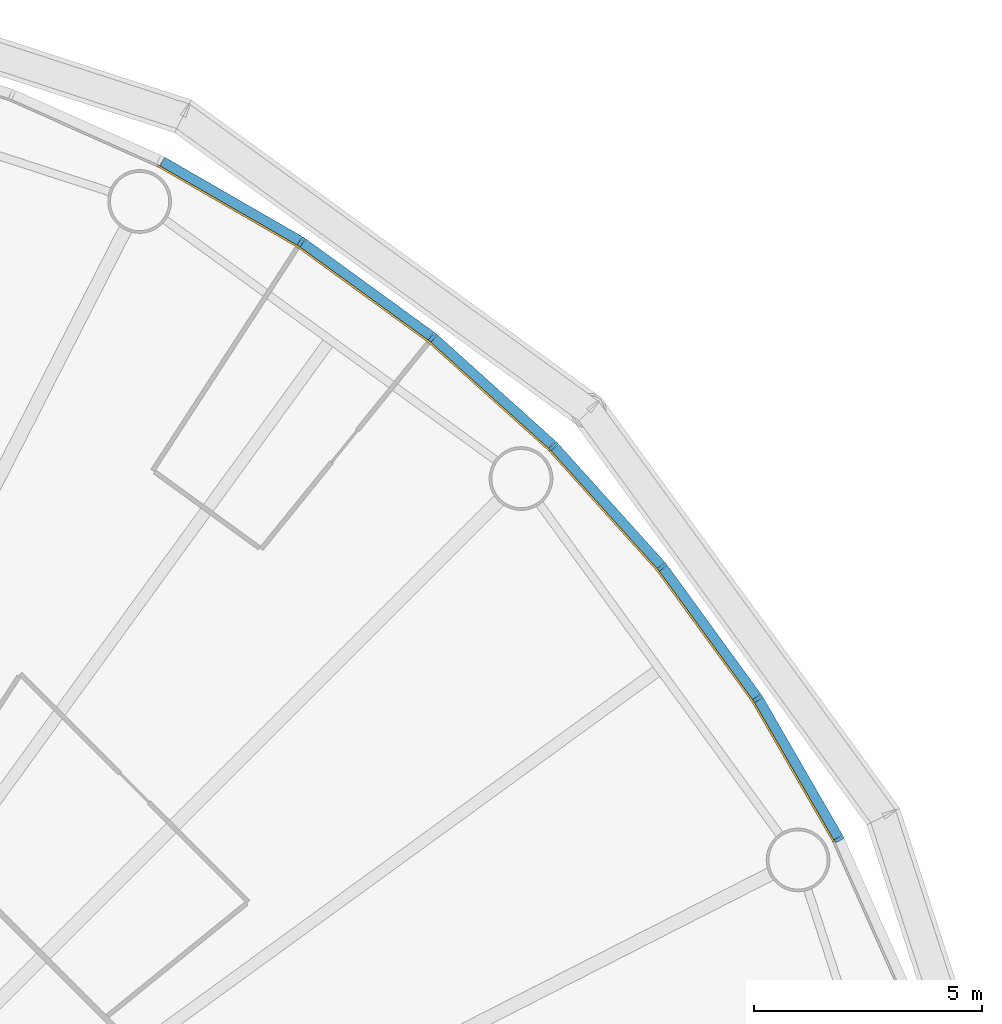
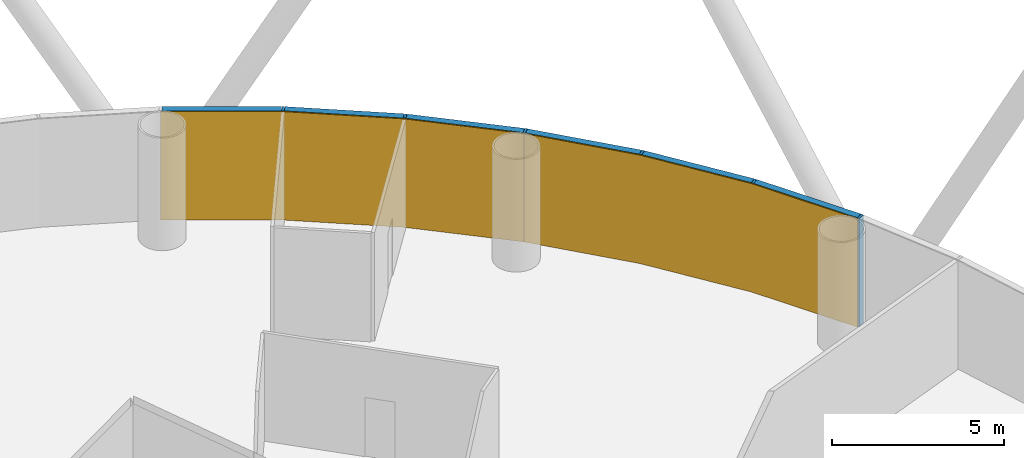
# One storey, part 10 of 13: 12 members, 2 curtain walls.
"""IFC4 building model written with IfcOpenShell, lengths in metres."""

from ifc_helpers import new_model, si_unit, direction, frame, origin, origin_2d, place, context, subcontext, project, spatial, polyline, rectangle, outline, extrude, material, layer, layer_set, material_profile, profile_set, type_object, element, aggregate, save


model = new_model("IFC4")

# Units and contexts
model_context = context("Model", 3, precision=1e-05, world=origin(), true_north=direction((0.0, 1.0)))
body_context = subcontext(model_context, "Body", "Model", "MODEL_VIEW")
ifc_project = project(units=[si_unit("LENGTHUNIT", "METRE"), si_unit("AREAUNIT", "SQUARE_METRE"), si_unit("VOLUMEUNIT", "CUBIC_METRE"), si_unit("PLANEANGLEUNIT", "RADIAN"), si_unit("MASSUNIT", "GRAM", prefix="KILO")], contexts=[model_context])

# Member
ifc_material_1 = material(Name="Anodised aluminium", Category="aluminium")
ifc_material_profile_1 = material_profile(ifc_material_1, rectangle(XDim=0.074951171875, YDim=0.219970703125, at=origin_2d()), Name="Mullion 75 x 220 mm anodised aluminium")
ifc_profile_set_1 = profile_set([ifc_material_profile_1], Name="Anodised aluminium")
member_type_1 = type_object("IfcMemberType", Name="Mullion 75 x 220 mm anodised aluminium", PredefinedType="MULLION", material=ifc_profile_set_1)
site_placement = place(None, origin())
building_placement = place(site_placement, origin())
storey_placement = place(building_placement, frame((0.0, 0.0, 54.0)))
member_1_placement = place(storey_placement, frame((120.392333984375, 95.485595703125, 0.0), z_axis=(0.0, 0.0, 1.0), x_axis=(-0.45399049974, 0.891006524188, 0.0)))
member_1 = element("IfcMember", 1, at=member_1_placement, type_object=member_type_1, Name="MULLION L11-03", PredefinedType="MULLION", context=body_context, shape_type="SweptSolid", body=[
    extrude(rectangle(XDim=0.074951171875, YDim=0.219970703125, at=origin_2d()), origin(), (0.0, 0.0, 1.0), 3.85009765625),
])

member_2_placement = place(storey_placement, frame((118.60693359375, 98.57763671875, 0.0), z_axis=(0.0, 0.0, 1.0), x_axis=(-0.544639035015, 0.838670567945, 0.0)))
member_2 = element("IfcMember", 2, at=member_2_placement, type_object=member_type_1, Name="MULLION L11-04", PredefinedType="MULLION", context=body_context, shape_type="SweptSolid", body=[
    extrude(rectangle(XDim=0.074951171875, YDim=0.219970703125, at=origin_2d()), origin(), (0.0, 0.0, 1.0), 3.85009765625),
])

member_3_placement = place(storey_placement, frame((116.508544921875, 101.466064453125, 0.0), z_axis=(0.0, 0.0, 1.0), x_axis=(-0.62932039105, 0.777145961457, 0.0)))
member_3 = element("IfcMember", 3, at=member_3_placement, type_object=member_type_1, Name="MULLION L11-05", PredefinedType="MULLION", context=body_context, shape_type="SweptSolid", body=[
    extrude(rectangle(XDim=0.074951171875, YDim=0.219970703125, at=origin_2d()), origin(), (0.0, 0.0, 1.0), 3.85009765625),
])

member_4_placement = place(storey_placement, frame((114.119384765625, 104.119384765625, 0.0), z_axis=(0.0, 0.0, 1.0), x_axis=(-0.707106781187, 0.707106781187, 0.0)))
member_4 = element("IfcMember", 4, at=member_4_placement, type_object=member_type_1, Name="MULLION L11-06", PredefinedType="MULLION", context=body_context, shape_type="SweptSolid", body=[
    extrude(rectangle(XDim=0.074951171875, YDim=0.219970703125, at=origin_2d()), origin(), (0.0, 0.0, 1.0), 3.85009765625),
])

member_5_placement = place(storey_placement, frame((111.466064453125, 106.508544921875, 0.0), z_axis=(0.0, 0.0, 1.0), x_axis=(-0.777145961457, 0.62932039105, 0.0)))
member_5 = element("IfcMember", 5, at=member_5_placement, type_object=member_type_1, Name="MULLION L11-07", PredefinedType="MULLION", context=body_context, shape_type="SweptSolid", body=[
    extrude(rectangle(XDim=0.074951171875, YDim=0.219970703125, at=origin_2d()), origin(), (0.0, 0.0, 1.0), 3.85009765625),
])

member_6_placement = place(storey_placement, frame((108.57763671875, 108.60693359375, 0.0), z_axis=(0.0, 0.0, 1.0), x_axis=(-0.838670567945, 0.544639035015, 0.0)))
member_6 = element("IfcMember", 6, at=member_6_placement, type_object=member_type_1, Name="MULLION L11-08", PredefinedType="MULLION", context=body_context, shape_type="SweptSolid", body=[
    extrude(rectangle(XDim=0.074951171875, YDim=0.219970703125, at=origin_2d()), origin(), (0.0, 0.0, 1.0), 3.85009765625),
])

ifc_material_2 = material(Name="Anodised aluminium", Category="aluminium")
ifc_material_profile_2 = material_profile(ifc_material_2, rectangle(XDim=0.219970703125, YDim=0.199951171875, at=origin_2d()), Name="Transom 200 x 220 mm anodised aluminium")
ifc_profile_set_2 = profile_set([ifc_material_profile_2], Name="Anodised aluminium")
member_type_2 = type_object("IfcMemberType", Name="Transom 200 x 220 mm anodised aluminium", PredefinedType="USERDEFINED", material=ifc_profile_set_2)
member_7_placement = place(storey_placement, frame((120.370849609375, 95.523193359375, 3.75), z_axis=(-0.500005538244, 0.866022206254, 0.0), x_axis=(-0.866022206254, -0.500005538244, 0.0)))
member_7 = element("IfcMember", 7, at=member_7_placement, type_object=member_type_2, Name="TRANSOM L11-03", ObjectType="TRANSOM", PredefinedType="USERDEFINED", context=body_context, shape_type="SweptSolid", body=[
    extrude(rectangle(XDim=0.219970703125, YDim=0.199951171875, at=origin_2d()), origin(), (0.0, 0.0, 1.0), 3.48388671875),
])

member_8_placement = place(storey_placement, frame((118.581787109375, 98.61279296875, 3.75), z_axis=(-0.587821627006, 0.80899056535, 0.0), x_axis=(-0.80899056535, -0.587821627006, 0.0)))
member_8 = element("IfcMember", 8, at=member_8_placement, type_object=member_type_2, Name="TRANSOM L11-04", ObjectType="TRANSOM", PredefinedType="USERDEFINED", context=body_context, shape_type="SweptSolid", body=[
    extrude(rectangle(XDim=0.219970703125, YDim=0.199951171875, at=origin_2d()), origin(), (0.0, 0.0, 1.0), 3.48388671875),
])

member_9_placement = place(storey_placement, frame((116.479736328125, 101.498291015625, 3.75), z_axis=(-0.669138930974, 0.743137329876, 0.0), x_axis=(-0.743137329876, -0.669138930974, 0.0)))
member_9 = element("IfcMember", 9, at=member_9_placement, type_object=member_type_2, Name="TRANSOM L11-05", ObjectType="TRANSOM", PredefinedType="USERDEFINED", context=body_context, shape_type="SweptSolid", body=[
    extrude(rectangle(XDim=0.219970703125, YDim=0.199951171875, at=origin_2d()), origin(), (0.0, 0.0, 1.0), 3.484130859375),
])

member_10_placement = place(storey_placement, frame((114.08740234375, 104.1484375, 3.75), z_axis=(-0.743137329876, 0.669138930974, 0.0), x_axis=(-0.669138930974, -0.743137329876, 0.0)))
member_10 = element("IfcMember", 10, at=member_10_placement, type_object=member_type_2, Name="TRANSOM L11-06", ObjectType="TRANSOM", PredefinedType="USERDEFINED", context=body_context, shape_type="SweptSolid", body=[
    extrude(rectangle(XDim=0.219970703125, YDim=0.199951171875, at=origin_2d()), origin(), (0.0, 0.0, 1.0), 3.484130859375),
])

member_11_placement = place(storey_placement, frame((111.43115234375, 106.533935546875, 3.75), z_axis=(-0.80899056535, 0.587821627006, 0.0), x_axis=(-0.587821627006, -0.80899056535, 0.0)))
member_11 = element("IfcMember", 11, at=member_11_placement, type_object=member_type_2, Name="TRANSOM L11-07", ObjectType="TRANSOM", PredefinedType="USERDEFINED", context=body_context, shape_type="SweptSolid", body=[
    extrude(rectangle(XDim=0.219970703125, YDim=0.199951171875, at=origin_2d()), origin(), (0.0, 0.0, 1.0), 3.48388671875),
])

member_12_placement = place(storey_placement, frame((108.540283203125, 108.62890625, 3.75), z_axis=(-0.866022206254, 0.500005538244, 0.0), x_axis=(-0.500005538244, -0.866022206254, 0.0)))
member_12 = element("IfcMember", 12, at=member_12_placement, type_object=member_type_2, Name="TRANSOM L11-08", ObjectType="TRANSOM", PredefinedType="USERDEFINED", context=body_context, shape_type="SweptSolid", body=[
    extrude(rectangle(XDim=0.219970703125, YDim=0.199951171875, at=origin_2d()), origin(), (0.0, 0.0, 1.0), 3.48388671875),
])

# Site, building, storey
site = spatial("IfcSite", under=ifc_project, at=site_placement, CompositionType="ELEMENT")
building = spatial("IfcBuilding", under=site, at=building_placement, Name="Entoto Ring Tower", CompositionType="ELEMENT")
storey = spatial("IfcBuildingStorey", under=building, at=storey_placement, Name="L11", CompositionType="ELEMENT", Elevation=54.0)

# Curtain wall
ifc_material_3 = material(Name="Clear low-iron glass", Category="glass")
ifc_layer = layer(ifc_material_3, 0.0400390625)
ifc_layer_set = layer_set([ifc_layer], Name="Clear low-iron glass")
curtain_wall_type = type_object("IfcCurtainWallType", Name="Curtain wall system CW1 glazing 40 mm", PredefinedType="NOTDEFINED", material=ifc_layer_set)
curtain_wall_1_placement = place(storey_placement, origin())
curtain_wall_1 = element("IfcCurtainWall", 13, at=curtain_wall_1_placement, inside=storey, type_object=curtain_wall_type, Name="CW1 L11-02", PredefinedType="NOTDEFINED", context=body_context, shape_type="SweptSolid", body=[
    extrude(outline(polyline([(120.294189453125, 95.435791015625), (118.514892578125, 98.517822265625), (116.4228515625, 101.39697265625), (114.041748046875, 104.041748046875), (114.013427734375, 104.013427734375), (116.391845703125, 101.37158203125), (118.481201171875, 98.495849609375), (120.258544921875, 95.41748046875), (120.294189453125, 95.435791015625)])), origin(), (0.0, 0.0, 1.0), 3.85009765625),
])

aggregate(curtain_wall_1, [member_1, member_2, member_3, member_7, member_8, member_9])

curtain_wall_2_placement = place(storey_placement, origin())
curtain_wall_2 = element("IfcCurtainWall", 14, at=curtain_wall_2_placement, inside=storey, type_object=curtain_wall_type, Name="CW1 L11-03", PredefinedType="NOTDEFINED", context=body_context, shape_type="SweptSolid", body=[
    extrude(outline(polyline([(114.041748046875, 104.041748046875), (111.39697265625, 106.4228515625), (108.517822265625, 108.514892578125), (105.435791015625, 110.294189453125), (105.41748046875, 110.258544921875), (108.495849609375, 108.481201171875), (111.37158203125, 106.391845703125), (114.013427734375, 104.013427734375), (114.041748046875, 104.041748046875)])), origin(), (0.0, 0.0, 1.0), 3.85009765625),
])

aggregate(curtain_wall_2, [member_4, member_5, member_6, member_10, member_11, member_12])

save(model, "model.ifc")
